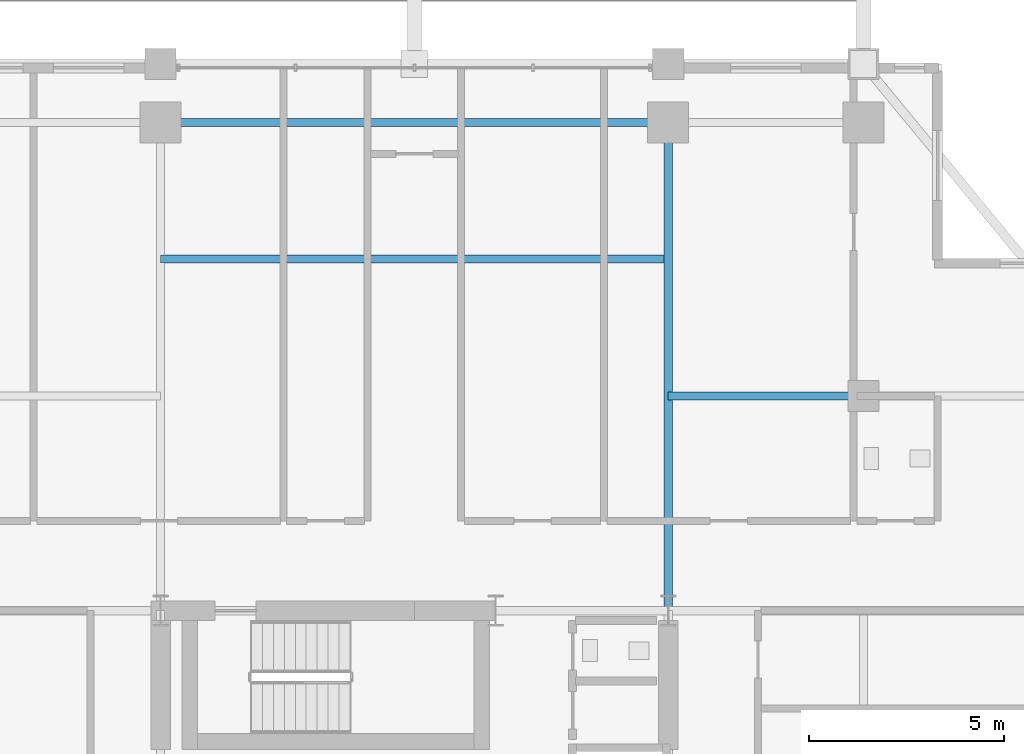
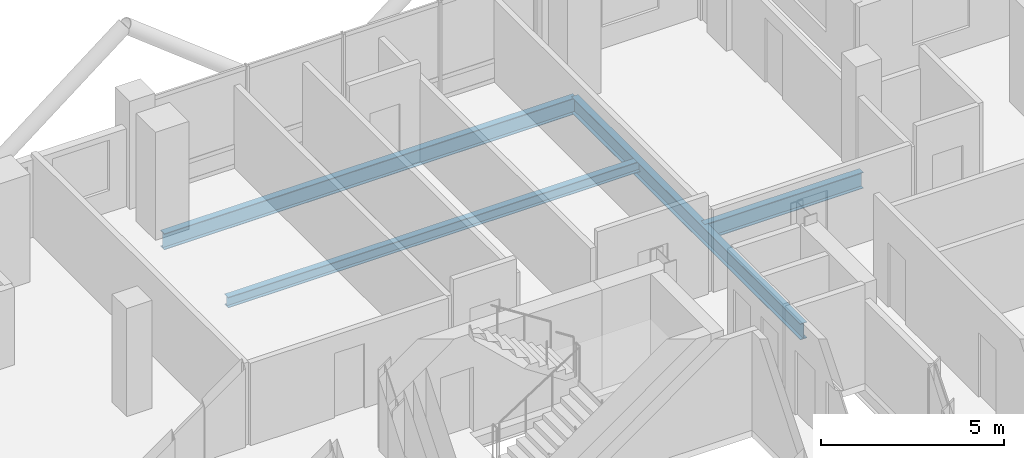
# One storey, part 16 of 25: 4 beams.
"""IFC4 building model written with IfcOpenShell, lengths in metres."""

from ifc_helpers import new_model, si_unit, direction, frame, origin, origin_2d, place, context, subcontext, project, spatial, i_section, extrude, material, material_profile, profile_set, type_object, element, save


model = new_model("IFC4")

# Units and contexts
model_context = context("Model", 3, precision=1e-05, world=origin(), true_north=direction((0.0, 1.0)))
body_context = subcontext(model_context, "Body", "Model", "MODEL_VIEW")
ifc_project = project(units=[si_unit("LENGTHUNIT", "METRE"), si_unit("AREAUNIT", "SQUARE_METRE"), si_unit("VOLUMEUNIT", "CUBIC_METRE"), si_unit("PLANEANGLEUNIT", "RADIAN"), si_unit("MASSUNIT", "GRAM", prefix="KILO")], contexts=[model_context])

# Site, building, storey
site_placement = place(None, origin())
site = spatial("IfcSite", under=ifc_project, at=site_placement, CompositionType="ELEMENT")
building_placement = place(site_placement, origin())
building = spatial("IfcBuilding", under=site, at=building_placement, Name="Barlavira Tower and Art Museum", CompositionType="ELEMENT")
storey_placement = place(building_placement, frame((0.0, 0.0, 208.800048828125)))
storey = spatial("IfcBuildingStorey", under=building, at=storey_placement, Name="L54", CompositionType="ELEMENT", Elevation=208.800048828125)

# Beams
ifc_material = material(Name="Steel S355", Category="steel")
ifc_material_profile_1 = material_profile(ifc_material, i_section(OverallWidth=0.205078125, OverallDepth=0.35400390625, WebThickness=0.009521484375, FlangeThickness=0.016845703125, at=origin_2d()), Name="W360x79.0")
ifc_profile_set_1 = profile_set([ifc_material_profile_1], Name="Steel S355")
beam_type_1 = type_object("IfcBeamType", Name="Zone 3 Composite Floor Joist W360x79 Steel S355", PredefinedType="JOIST", material=ifc_profile_set_1)
beam_1_placement = place(storey_placement, frame((-6.5, 16.5, -0.39697265625), z_axis=(1.0, 0.0, 0.0), x_axis=(0.0, 1.0, 0.0)))
element("IfcBeam", 1, at=beam_1_placement, inside=storey, type_object=beam_type_1, Name="L54 Joist C2", PredefinedType="JOIST", context=body_context, shape_type="SweptSolid", body=[
    extrude(i_section(OverallWidth=0.205078125, OverallDepth=0.35400390625, WebThickness=0.009521484375, FlangeThickness=0.016845703125, at=origin_2d()), origin(), (0.0, 0.0, 1.0), 13.0),
])
ifc_material_profile_2 = material_profile(ifc_material, i_section(OverallWidth=0.2109375, OverallDepth=0.5390625, WebThickness=0.01171875, FlangeThickness=0.018798828125, at=origin_2d()), Name="W530x109.0")
ifc_profile_set_2 = profile_set([ifc_material_profile_2], Name="Steel S355")
beam_type_2 = type_object("IfcBeamType", Name="Zone 3-4 Primary Floor Girder W530x109 Steel S355", PredefinedType="BEAM", material=ifc_profile_set_2)
beam_2_placement = place(storey_placement, frame((-6.5, 20.0, -0.489501953125), z_axis=(1.0, 0.0, 0.0), x_axis=(0.0, 1.0, 0.0)))
element("IfcBeam", 2, at=beam_2_placement, inside=storey, type_object=beam_type_2, Name="L54 Girder M-N2", PredefinedType="BEAM", context=body_context, shape_type="SweptSolid", body=[
    extrude(i_section(OverallWidth=0.2109375, OverallDepth=0.5390625, WebThickness=0.01171875, FlangeThickness=0.018798828125, at=origin_2d()), origin(), (0.0, 0.0, 1.0), 13.0),
])
beam_3_placement = place(storey_placement, frame((6.5, 7.5, -0.489501953125), z_axis=(0.0, 1.0, 0.0), x_axis=(-1.0, 0.0, 0.0)))
element("IfcBeam", 3, at=beam_3_placement, inside=storey, type_object=beam_type_2, Name="L54 Girder R-N2", PredefinedType="BEAM", context=body_context, shape_type="SweptSolid", body=[
    extrude(i_section(OverallWidth=0.2109375, OverallDepth=0.5390625, WebThickness=0.01171875, FlangeThickness=0.018798828125, at=origin_2d()), origin(), (0.0, 0.0, 1.0), 12.5),
])
beam_4_placement = place(storey_placement, frame((6.5, 13.0, -0.489501953125), z_axis=(1.0, 0.0, 0.0), x_axis=(0.0, 1.0, 0.0)))
element("IfcBeam", 4, at=beam_4_placement, inside=storey, type_object=beam_type_2, Name="L54 Girder I-N3", PredefinedType="BEAM", context=body_context, shape_type="SweptSolid", body=[
    extrude(i_section(OverallWidth=0.2109375, OverallDepth=0.5390625, WebThickness=0.01171875, FlangeThickness=0.018798828125, at=origin_2d()), origin(), (0.0, 0.0, 1.0), 5.0),
])

save(model, "model.ifc")
